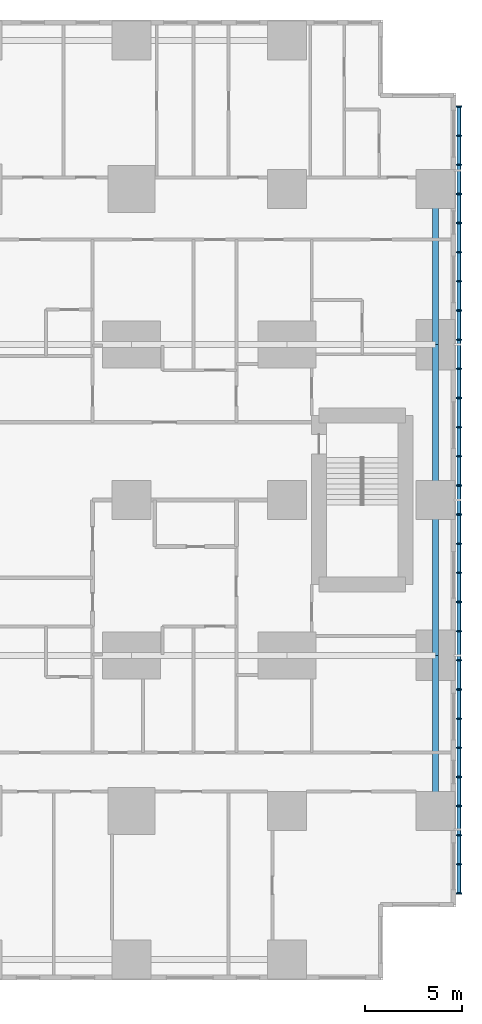
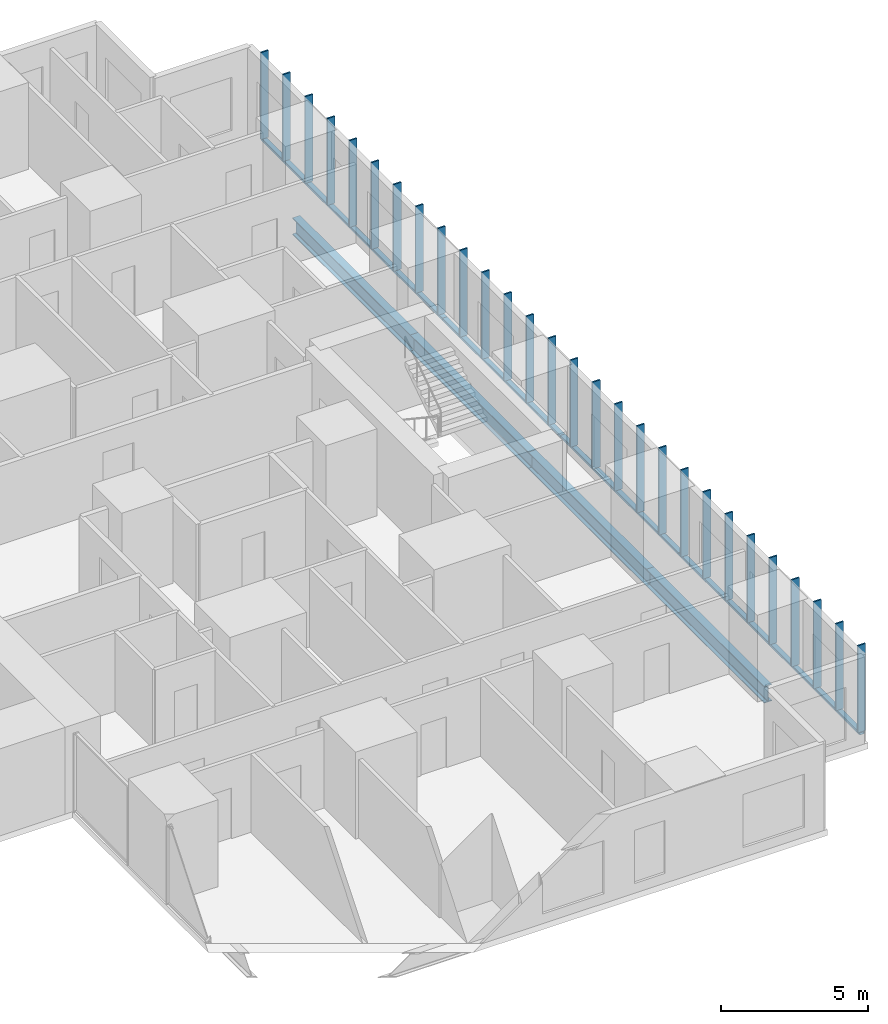
# One storey, part 6 of 20: 32 members, 4 beams.
"""IFC4 building model written with IfcOpenShell, lengths in metres."""

from ifc_helpers import new_model, si_unit, direction, frame, origin, origin_2d, place, context, subcontext, project, spatial, rectangle, hollow_rectangle, i_section, extrude, material, material_profile, profile_set, type_object, element, save


model = new_model("IFC4")

# Units and contexts
model_context = context("Model", 3, precision=1e-05, world=origin(), true_north=direction((0.0, 1.0)))
body_context = subcontext(model_context, "Body", "Model", "MODEL_VIEW")
ifc_project = project(units=[si_unit("LENGTHUNIT", "METRE"), si_unit("AREAUNIT", "SQUARE_METRE"), si_unit("VOLUMEUNIT", "CUBIC_METRE"), si_unit("PLANEANGLEUNIT", "RADIAN"), si_unit("MASSUNIT", "GRAM", prefix="KILO")], contexts=[model_context])

# Site, building, storey
site_placement = place(None, origin())
site = spatial("IfcSite", under=ifc_project, at=site_placement, CompositionType="ELEMENT")
building_placement = place(site_placement, origin())
building = spatial("IfcBuilding", under=site, at=building_placement, Name="Cleftline Residences", CompositionType="ELEMENT")
storey_placement = place(building_placement, frame((0.0, 0.0, 168.199951171875)))
storey = spatial("IfcBuildingStorey", under=building, at=storey_placement, Name="L44", CompositionType="ELEMENT", Elevation=168.199951171875)

# Members
ifc_material_1 = material(Name="Steel S355, hot-dip galvanised", Category="steel")
ifc_material_profile_1 = material_profile(ifc_material_1, hollow_rectangle(XDim=0.10009765625, YDim=0.199951171875, WallThickness=0.008056640625, InnerFilletRadius=0.008056640625, OuterFilletRadius=0.011962890625, at=origin_2d()))
ifc_profile_set_1 = profile_set([ifc_material_profile_1], Name="Steel S355, hot-dip galvanised")
member_type_1 = type_object("IfcMemberType", Name="BAGUETTE CARRIER RHS 200X100X8", PredefinedType="USERDEFINED", material=ifc_profile_set_1)
member_1_placement = place(storey_placement, frame((66.85009765625, 3.699951171875, -0.050048828125), z_axis=(0.0, 1.0, 0.0), x_axis=(0.0, 0.0, 1.0)))
element("IfcMember", 1, at=member_1_placement, inside=storey, type_object=member_type_1, Name="Baguette carrier", ObjectType="BAGUETTE CARRIER", PredefinedType="USERDEFINED", context=body_context, shape_type="SweptSolid", body=[
    extrude(hollow_rectangle(XDim=0.10009765625, YDim=0.199951171875, WallThickness=0.008056640625, InnerFilletRadius=0.008056640625, OuterFilletRadius=0.011962890625, at=origin_2d()), origin(), (0.0, 0.0, 1.0), 12.300048828125),
])
for number, where, z_axis, x_axis, name in (
    (2, (66.85009765625, 16.0, -0.050048828125), (0.0, 1.0, 0.0), (0.0, 0.0, 1.0), "Baguette carrier"),
    (3, (66.85009765625, 24.0, -0.050048828125), (0.0, 1.0, 0.0), (0.0, 0.0, 1.0), "Baguette carrier"),
):
    element("IfcMember", number, at=place(storey_placement, frame(where, z_axis=z_axis, x_axis=x_axis)), inside=storey, type_object=member_type_1, Name=name, ObjectType="BAGUETTE CARRIER", PredefinedType="USERDEFINED", context=body_context, shape_type="SweptSolid", body=[
        extrude(hollow_rectangle(XDim=0.10009765625, YDim=0.199951171875, WallThickness=0.008056640625, InnerFilletRadius=0.008056640625, OuterFilletRadius=0.011962890625, at=origin_2d()), origin(), (0.0, 0.0, 1.0), 8.0),
    ])
member_2_placement = place(storey_placement, frame((66.85009765625, 32.0, -0.050048828125), z_axis=(0.0, 1.0, 0.0), x_axis=(0.0, 0.0, 1.0)))
element("IfcMember", 4, at=member_2_placement, inside=storey, type_object=member_type_1, Name="Baguette carrier", ObjectType="BAGUETTE CARRIER", PredefinedType="USERDEFINED", context=body_context, shape_type="SweptSolid", body=[
    extrude(hollow_rectangle(XDim=0.10009765625, YDim=0.199951171875, WallThickness=0.008056640625, InnerFilletRadius=0.008056640625, OuterFilletRadius=0.011962890625, at=origin_2d()), origin(), (0.0, 0.0, 1.0), 12.300048828125),
])

# Beams
ifc_material_2 = material(Name="Steel S355", Category="steel")
ifc_material_profile_2 = material_profile(ifc_material_2, i_section(OverallWidth=0.300048828125, OverallDepth=0.699951171875, WebThickness=0.01708984375, FlangeThickness=0.031982421875, FilletRadius=0.027099609375, at=origin_2d()))
ifc_profile_set_2 = profile_set([ifc_material_profile_2], Name="Steel S355")
beam_type = type_object("IfcBeamType", Name="BEAM HEB 700", PredefinedType="BEAM", material=ifc_profile_set_2)
for number, where, z_axis, x_axis, name in (
    (5, (65.64990234375, 8.0, -0.599853515625), (0.0, 1.0, 0.0), (-1.0, 0.0, 0.0), "Edge beam"),
    (6, (65.64990234375, 16.0, -0.599853515625), (0.0, 1.0, 0.0), (-1.0, 0.0, 0.0), "Edge beam"),
    (7, (65.64990234375, 24.0, -0.599853515625), (0.0, 1.0, 0.0), (-1.0, 0.0, 0.0), "Edge beam"),
    (8, (65.64990234375, 32.0, -0.599853515625), (0.0, 1.0, 0.0), (-1.0, 0.0, 0.0), "Edge beam"),
):
    element("IfcBeam", number, at=place(storey_placement, frame(where, z_axis=z_axis, x_axis=x_axis)), inside=storey, type_object=beam_type, Name=name, PredefinedType="BEAM", context=body_context, shape_type="SweptSolid", body=[
        extrude(i_section(OverallWidth=0.300048828125, OverallDepth=0.699951171875, WebThickness=0.01708984375, FlangeThickness=0.031982421875, FilletRadius=0.027099609375, at=origin_2d()), origin(), (0.0, 0.0, 1.0), 8.0),
    ])

# Members
ifc_material_3 = material(Name="Extruded terracotta", Category="masonry")
ifc_material_profile_3 = material_profile(ifc_material_3, rectangle(XDim=0.06005859375, YDim=0.300048828125, at=origin_2d()))
ifc_profile_set_3 = profile_set([ifc_material_profile_3], Name="Extruded terracotta")
member_type_2 = type_object("IfcMemberType", Name="TERRACOTTA BAGUETTE 60X300", PredefinedType="USERDEFINED", material=ifc_profile_set_3)
for number, where, z_axis, x_axis, name in (
    (9, (66.85009765625, 3.75, 0.0), (0.0, 0.0, 1.0), (0.0, 1.0, 0.0), "Terracotta baguette"),
    (10, (66.85009765625, 5.25, 0.0), (0.0, 0.0, 1.0), (0.0, 1.0, 0.0), "Terracotta baguette"),
    (11, (66.85009765625, 6.75, 0.0), (0.0, 0.0, 1.0), (0.0, 1.0, 0.0), "Terracotta baguette"),
    (12, (66.85009765625, 8.25, 0.0), (0.0, 0.0, 1.0), (0.0, 1.0, 0.0), "Terracotta baguette"),
    (13, (66.85009765625, 9.75, 0.0), (0.0, 0.0, 1.0), (0.0, 1.0, 0.0), "Terracotta baguette"),
    (14, (66.85009765625, 11.25, 0.0), (0.0, 0.0, 1.0), (0.0, 1.0, 0.0), "Terracotta baguette"),
    (15, (66.85009765625, 12.75, 0.0), (0.0, 0.0, 1.0), (0.0, 1.0, 0.0), "Terracotta baguette"),
    (16, (66.85009765625, 14.25, 0.0), (0.0, 0.0, 1.0), (0.0, 1.0, 0.0), "Terracotta baguette"),
    (17, (66.85009765625, 15.75, 0.0), (0.0, 0.0, 1.0), (0.0, 1.0, 0.0), "Terracotta baguette"),
    (18, (66.85009765625, 17.25, 0.0), (0.0, 0.0, 1.0), (0.0, 1.0, 0.0), "Terracotta baguette"),
    (19, (66.85009765625, 18.75, 0.0), (0.0, 0.0, 1.0), (0.0, 1.0, 0.0), "Terracotta baguette"),
    (20, (66.85009765625, 20.25, 0.0), (0.0, 0.0, 1.0), (0.0, 1.0, 0.0), "Terracotta baguette"),
    (21, (66.85009765625, 21.75, 0.0), (0.0, 0.0, 1.0), (0.0, 1.0, 0.0), "Terracotta baguette"),
    (22, (66.85009765625, 23.25, 0.0), (0.0, 0.0, 1.0), (0.0, 1.0, 0.0), "Terracotta baguette"),
    (23, (66.85009765625, 24.75, 0.0), (0.0, 0.0, 1.0), (0.0, 1.0, 0.0), "Terracotta baguette"),
    (24, (66.85009765625, 26.25, 0.0), (0.0, 0.0, 1.0), (0.0, 1.0, 0.0), "Terracotta baguette"),
    (25, (66.85009765625, 27.75, 0.0), (0.0, 0.0, 1.0), (0.0, 1.0, 0.0), "Terracotta baguette"),
    (26, (66.85009765625, 29.25, 0.0), (0.0, 0.0, 1.0), (0.0, 1.0, 0.0), "Terracotta baguette"),
    (27, (66.85009765625, 30.75, 0.0), (0.0, 0.0, 1.0), (0.0, 1.0, 0.0), "Terracotta baguette"),
    (28, (66.85009765625, 32.25, 0.0), (0.0, 0.0, 1.0), (0.0, 1.0, 0.0), "Terracotta baguette"),
    (29, (66.85009765625, 33.75, 0.0), (0.0, 0.0, 1.0), (0.0, 1.0, 0.0), "Terracotta baguette"),
    (30, (66.85009765625, 35.25, 0.0), (0.0, 0.0, 1.0), (0.0, 1.0, 0.0), "Terracotta baguette"),
    (31, (66.85009765625, 36.75, 0.0), (0.0, 0.0, 1.0), (0.0, 1.0, 0.0), "Terracotta baguette"),
    (32, (66.85009765625, 38.25, 0.0), (0.0, 0.0, 1.0), (0.0, 1.0, 0.0), "Terracotta baguette"),
    (33, (66.85009765625, 39.75, 0.0), (0.0, 0.0, 1.0), (0.0, 1.0, 0.0), "Terracotta baguette"),
    (34, (66.85009765625, 41.25, 0.0), (0.0, 0.0, 1.0), (0.0, 1.0, 0.0), "Terracotta baguette"),
    (35, (66.85009765625, 42.75, 0.0), (0.0, 0.0, 1.0), (0.0, 1.0, 0.0), "Terracotta baguette"),
    (36, (66.85009765625, 44.25, 0.0), (0.0, 0.0, 1.0), (0.0, 1.0, 0.0), "Terracotta baguette"),
):
    element("IfcMember", number, at=place(storey_placement, frame(where, z_axis=z_axis, x_axis=x_axis)), inside=storey, type_object=member_type_2, Name=name, ObjectType="BAGUETTE", PredefinedType="USERDEFINED", context=body_context, shape_type="SweptSolid", body=[
        extrude(rectangle(XDim=0.06005859375, YDim=0.300048828125, at=origin_2d()), origin(), (0.0, 0.0, 1.0), 3.60009765625),
    ])

save(model, "model.ifc")
